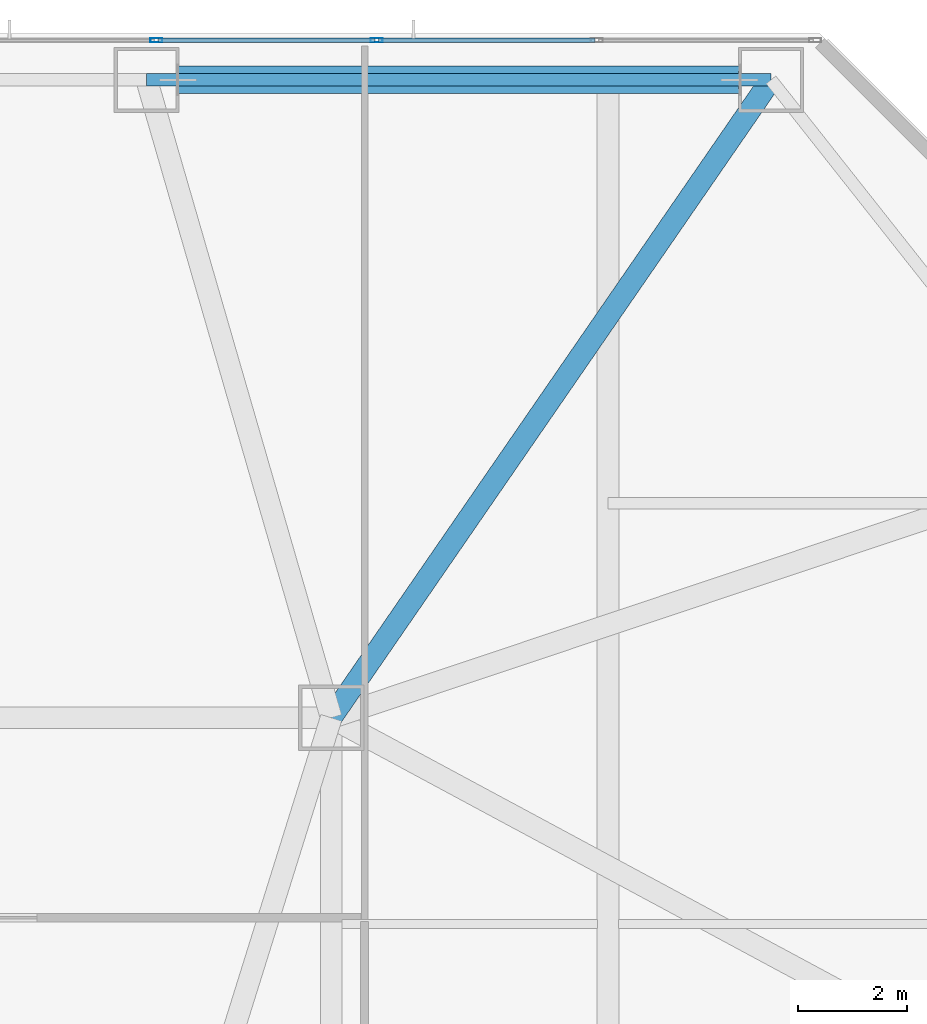
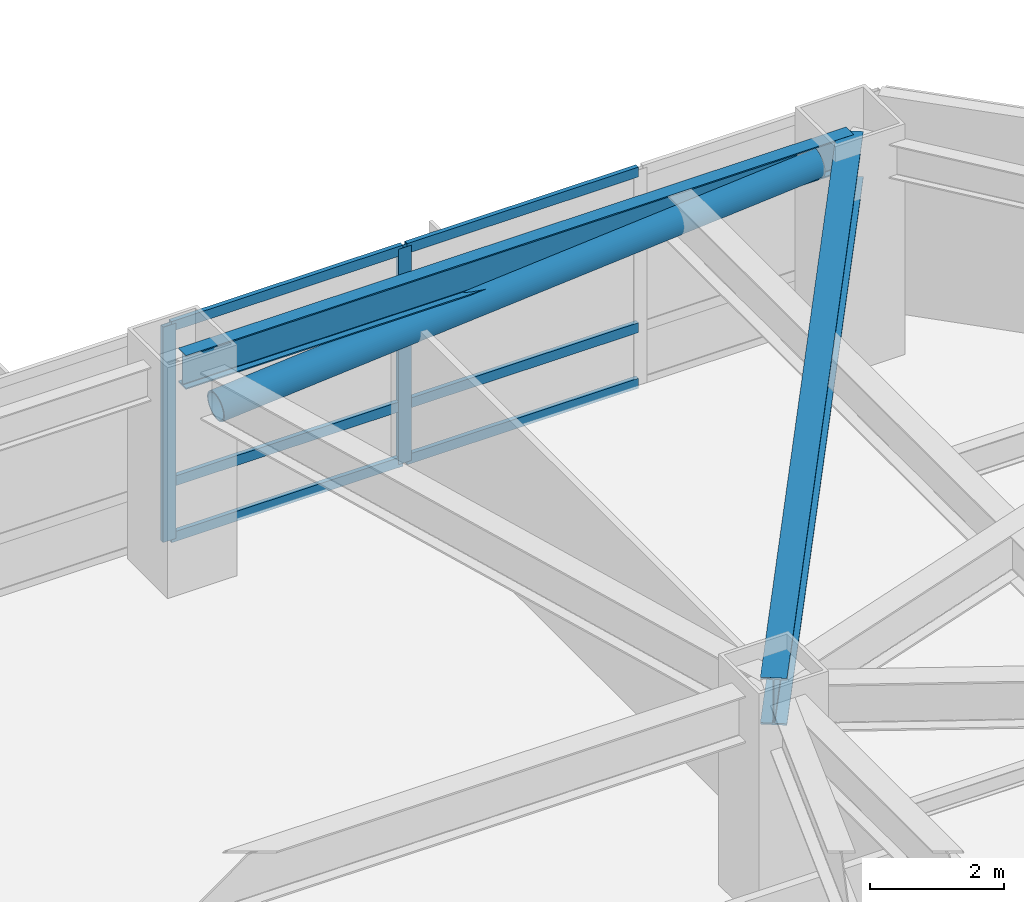
# One storey, part 14 of 32: 9 members, 2 beams, 1 element without a shape of its own.
"""IFC4 building model written with IfcOpenShell, lengths in metres."""

from ifc_helpers import new_model, si_unit, direction, frame, origin, origin_2d, place, context, subcontext, project, spatial, hollow_rectangle, hollow_circle, i_section, extrude, material, material_profile, profile_set, type_object, element, aggregate, save


model = new_model("IFC4")

# Units and contexts
model_context = context("Model", 3, precision=1e-05, world=origin(), true_north=direction((0.0, 1.0)))
body_context = subcontext(model_context, "Body", "Model", "MODEL_VIEW")
ifc_project = project(units=[si_unit("LENGTHUNIT", "METRE"), si_unit("AREAUNIT", "SQUARE_METRE"), si_unit("VOLUMEUNIT", "CUBIC_METRE"), si_unit("PLANEANGLEUNIT", "RADIAN"), si_unit("MASSUNIT", "GRAM", prefix="KILO")], contexts=[model_context])

# Site, building, storey
site_placement = place(None, origin())
site = spatial("IfcSite", under=ifc_project, at=site_placement, CompositionType="ELEMENT")
building_placement = place(site_placement, origin())
building = spatial("IfcBuilding", under=site, at=building_placement, Name="Khamvora Tower", CompositionType="ELEMENT")
storey_placement = place(building_placement, frame((0.0, 0.0, 12.0)))
storey = spatial("IfcBuildingStorey", under=building, at=storey_placement, Name="L02", CompositionType="ELEMENT", Elevation=12.0)

# Beams
ifc_material_1 = material(Name="Steel S355", Category="steel")
ifc_material_profile_1 = material_profile(ifc_material_1, i_section(OverallWidth=0.39990234375, OverallDepth=0.85498046875, WebThickness=0.01806640625, FlangeThickness=0.029052734375, FilletRadius=0.01806640625, at=origin_2d()), Name="W840x299")
ifc_profile_set_1 = profile_set([ifc_material_profile_1], Name="Steel S355")
beam_type_1 = type_object("IfcBeamType", Name="BM-PG-W840x299", PredefinedType="BEAM", material=ifc_profile_set_1)
beam_1_placement = place(storey_placement, frame((41.39990234375, 43.39990234375, 3.491943359375), z_axis=(0.567573841069, 0.823322497527, 0.0), x_axis=(-0.823322497527, 0.567573841069, 0.0)))
element("IfcBeam", 1, at=beam_1_placement, inside=storey, type_object=beam_type_1, Name="L02 primary floor girder P08", PredefinedType="BEAM", context=body_context, shape_type="SweptSolid", body=[
    extrude(i_section(OverallWidth=0.39990234375, OverallDepth=0.85498046875, WebThickness=0.01806640625, FlangeThickness=0.029052734375, FilletRadius=0.01806640625, at=origin_2d()), origin(), (0.0, 0.0, 1.0), 14.271484375),
])
ifc_material_profile_2 = material_profile(ifc_material_1, i_section(OverallWidth=0.22998046875, OverallDepth=0.616943359375, WebThickness=0.012939453125, FlangeThickness=0.02197265625, FilletRadius=0.013916015625, at=origin_2d()), Name="W610x140")
ifc_profile_set_2 = profile_set([ifc_material_profile_2], Name="Steel S355")
beam_type_2 = type_object("IfcBeamType", Name="BM-SP-W610x140", PredefinedType="SPANDREL", material=ifc_profile_set_2)
beam_2_placement = place(storey_placement, frame((49.5, 55.14990234375, 3.611083984375), z_axis=(-1.0, 0.0, 0.0), x_axis=(0.0, -1.0, 0.0)))
element("IfcBeam", 2, at=beam_2_placement, inside=storey, type_object=beam_type_2, Name="L02 perimeter spandrel beam P08-P07", PredefinedType="SPANDREL", context=body_context, shape_type="SweptSolid", body=[
    extrude(i_section(OverallWidth=0.22998046875, OverallDepth=0.616943359375, WebThickness=0.012939453125, FlangeThickness=0.02197265625, FilletRadius=0.013916015625, at=origin_2d()), origin(), (0.0, 0.0, 1.0), 11.5),
])

# Curtain wall, members
ifc_material_2 = material(Name="Anodised Aluminium 6063-T6", Category="aluminium")
curtain_wall_type = type_object("IfcCurtainWallType", Name="CW-SYS-01", PredefinedType="NOTDEFINED", material=ifc_material_2)
curtain_wall_placement = place(storey_placement, origin())
curtain_wall = element("IfcCurtainWall", 3, at=curtain_wall_placement, inside=storey, type_object=curtain_wall_type, Name="L02 stick curtain wall 07.1", PredefinedType="NOTDEFINED")
ifc_material_profile_3 = material_profile(ifc_material_2, hollow_rectangle(XDim=0.074951171875, YDim=0.219970703125, WallThickness=0.0048828125, at=origin_2d()), Name="MUL75x220x5")
ifc_profile_set_3 = profile_set([ifc_material_profile_3], Name="Anodised Aluminium 6063-T6")
member_type_1 = type_object("IfcMemberType", Name="CW-SYS-01-MUL", PredefinedType="MULLION", material=ifc_profile_set_3)
member_1_placement = place(storey_placement, frame((38.18017578125, 55.8798828125, 0.0), z_axis=(0.0, 0.0, 1.0), x_axis=(0.0, 1.0, 0.0)))
member_1 = element("IfcMember", 4, at=member_1_placement, type_object=member_type_1, Name="CW-01 mullion 9", PredefinedType="MULLION", context=body_context, shape_type="SweptSolid", body=[
    extrude(hollow_rectangle(XDim=0.074951171875, YDim=0.219970703125, WallThickness=0.0048828125, at=origin_2d()), origin(), (0.0, 0.0, 1.0), 3.919921875),
])
member_2_placement = place(storey_placement, frame((42.23681640625, 55.8798828125, 0.0), z_axis=(0.0, 0.0, 1.0), x_axis=(0.0, 1.0, 0.0)))
member_2 = element("IfcMember", 5, at=member_2_placement, type_object=member_type_1, Name="CW-01 mullion 10", PredefinedType="MULLION", context=body_context, shape_type="SweptSolid", body=[
    extrude(hollow_rectangle(XDim=0.074951171875, YDim=0.219970703125, WallThickness=0.0048828125, at=origin_2d()), origin(), (0.0, 0.0, 1.0), 3.919921875),
])
ifc_material_profile_4 = material_profile(ifc_material_2, hollow_rectangle(XDim=0.074951171875, YDim=0.179931640625, WallThickness=0.0048828125, at=origin_2d()), Name="TRN75x180x5")
ifc_profile_set_4 = profile_set([ifc_material_profile_4], Name="Anodised Aluminium 6063-T6")
member_type_2 = type_object("IfcMemberType", Name="CW-SYS-01-TRN", PredefinedType="USERDEFINED", material=ifc_profile_set_4)
member_3_placement = place(storey_placement, frame((38.217529296875, 55.8798828125, 0.03759765625), z_axis=(1.0, 0.0, 0.0), x_axis=(0.0, 1.0, 0.0)))
member_3 = element("IfcMember", 6, at=member_3_placement, type_object=member_type_2, Name="CW-01 transom 9.1", ObjectType="TRANSOM", PredefinedType="USERDEFINED", context=body_context, shape_type="SweptSolid", body=[
    extrude(hollow_rectangle(XDim=0.074951171875, YDim=0.179931640625, WallThickness=0.0048828125, at=origin_2d()), origin(), (0.0, 0.0, 1.0), 3.981689453125),
])
member_4_placement = place(storey_placement, frame((38.217529296875, 55.8798828125, 1.050048828125), z_axis=(1.0, 0.0, 0.0), x_axis=(0.0, 1.0, 0.0)))
member_4 = element("IfcMember", 7, at=member_4_placement, type_object=member_type_2, Name="CW-01 transom 9.2", ObjectType="TRANSOM", PredefinedType="USERDEFINED", context=body_context, shape_type="SweptSolid", body=[
    extrude(hollow_rectangle(XDim=0.074951171875, YDim=0.179931640625, WallThickness=0.0048828125, at=origin_2d()), origin(), (0.0, 0.0, 1.0), 3.981689453125),
])
member_5_placement = place(storey_placement, frame((38.217529296875, 55.8798828125, 3.882568359375), z_axis=(1.0, 0.0, 0.0), x_axis=(0.0, 1.0, 0.0)))
member_5 = element("IfcMember", 8, at=member_5_placement, type_object=member_type_2, Name="CW-01 transom 9.3", ObjectType="TRANSOM", PredefinedType="USERDEFINED", context=body_context, shape_type="SweptSolid", body=[
    extrude(hollow_rectangle(XDim=0.074951171875, YDim=0.179931640625, WallThickness=0.0048828125, at=origin_2d()), origin(), (0.0, 0.0, 1.0), 3.981689453125),
])
member_6_placement = place(storey_placement, frame((42.274169921875, 55.8798828125, 0.03759765625), z_axis=(1.0, 0.0, 0.0), x_axis=(0.0, 1.0, 0.0)))
member_6 = element("IfcMember", 9, at=member_6_placement, type_object=member_type_2, Name="CW-01 transom 10.1", ObjectType="TRANSOM", PredefinedType="USERDEFINED", context=body_context, shape_type="SweptSolid", body=[
    extrude(hollow_rectangle(XDim=0.074951171875, YDim=0.179931640625, WallThickness=0.0048828125, at=origin_2d()), origin(), (0.0, 0.0, 1.0), 3.981689453125),
])
member_7_placement = place(storey_placement, frame((42.274169921875, 55.8798828125, 1.050048828125), z_axis=(1.0, 0.0, 0.0), x_axis=(0.0, 1.0, 0.0)))
member_7 = element("IfcMember", 10, at=member_7_placement, type_object=member_type_2, Name="CW-01 transom 10.2", ObjectType="TRANSOM", PredefinedType="USERDEFINED", context=body_context, shape_type="SweptSolid", body=[
    extrude(hollow_rectangle(XDim=0.074951171875, YDim=0.179931640625, WallThickness=0.0048828125, at=origin_2d()), origin(), (0.0, 0.0, 1.0), 3.981689453125),
])
member_8_placement = place(storey_placement, frame((42.274169921875, 55.8798828125, 3.882568359375), z_axis=(1.0, 0.0, 0.0), x_axis=(0.0, 1.0, 0.0)))
member_8 = element("IfcMember", 11, at=member_8_placement, type_object=member_type_2, Name="CW-01 transom 10.3", ObjectType="TRANSOM", PredefinedType="USERDEFINED", context=body_context, shape_type="SweptSolid", body=[
    extrude(hollow_rectangle(XDim=0.074951171875, YDim=0.179931640625, WallThickness=0.0048828125, at=origin_2d()), origin(), (0.0, 0.0, 1.0), 3.981689453125),
])
aggregate(curtain_wall, [member_1, member_2, member_3, member_4, member_5, member_6, member_7, member_8])

# Member
ifc_material_3 = material(Name="Steel S460", Category="steel")
ifc_material_profile_5 = material_profile(ifc_material_3, hollow_circle(Radius=0.25390625, WallThickness=0.02490234375, at=origin_2d()), Name="CHS508x25")
ifc_profile_set_5 = profile_set([ifc_material_profile_5], Name="Steel S460")
member_type_3 = type_object("IfcMemberType", Name="MEM-BR-CHS508", PredefinedType="BRACE", material=ifc_profile_set_5)
member_9_placement = place(storey_placement, frame((38.577880859375, 55.14990234375, 2.72705078125), z_axis=(0.996743065986, 0.0, 0.080642795143), x_axis=(0.0, 1.0, 0.0)))
element("IfcMember", 12, at=member_9_placement, inside=storey, type_object=member_type_3, Name="L02 perimeter wind brace 4", PredefinedType="BRACE", context=body_context, shape_type="SweptSolid", body=[
    extrude(hollow_circle(Radius=0.25390625, WallThickness=0.02490234375, at=origin_2d()), origin(), (0.0, 0.0, 1.0), 10.3779296875),
])

save(model, "model.ifc")
